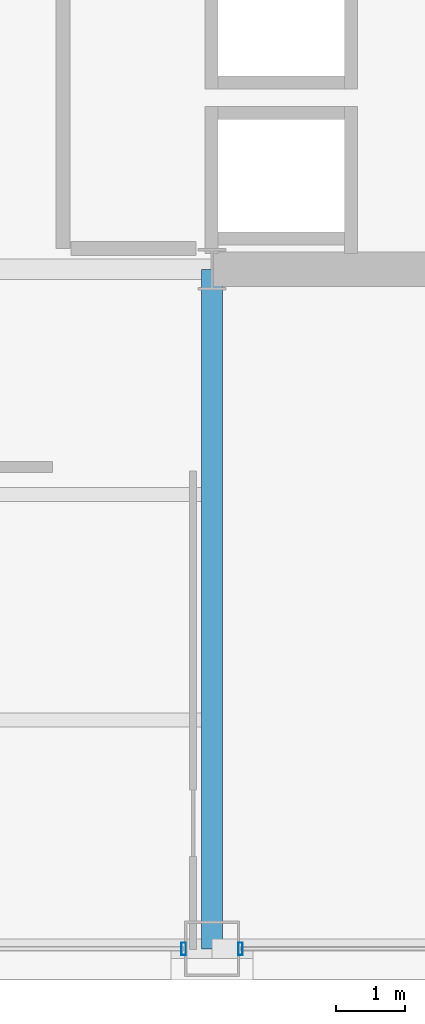
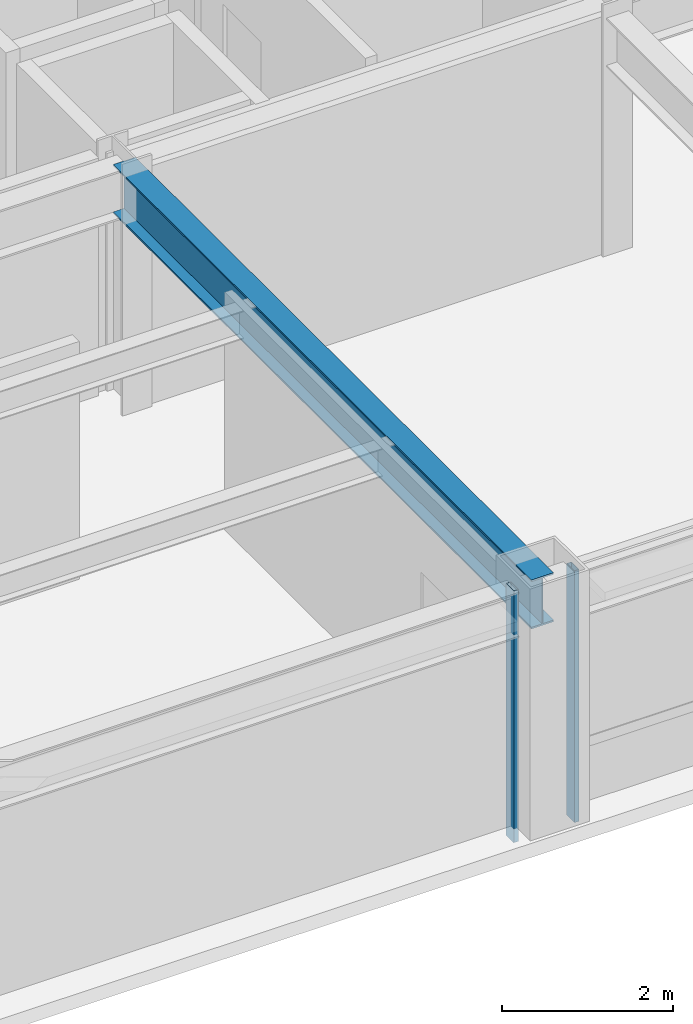
# One storey, part 6 of 29: 2 members, 1 beam, 2 elements without a shape of their own.
"""IFC4 building model written with IfcOpenShell, lengths in metres."""

import ifcopenshell
import ifcopenshell.guid

model = None  # the IFC model being written
_history = None  # IfcOwnerHistory: only IFC2X3 demands one
_inside = {}  # id of a spatial element -> (the spatial element, [elements in it])
_under = {}  # id of a project, library or spatial element -> (it, [spatial elements below it])
_declared = {}  # id of a project -> (the project, [libraries it declares])
_typed = {}  # id of a type object -> (the type object, [elements of that type])
_made_of = {}  # id of a material, layer set ... -> (it, [elements and type objects made of it])


def new_model(schema):
    """Start an empty IFC model of exactly this schema.

    Asked for "IFC4X3", IfcOpenShell would pick the latest addendum, in which some entities
    have other attributes; the version numbers below select the first issue.
    IFC2X3 requires an IfcOwnerHistory on every rooted entity: one is made here for all.
    """
    global model, _history
    if schema == "IFC4X3":
        model = ifcopenshell.file(schema_version=(4, 3, 0, 0))
    else:
        model = ifcopenshell.file(schema=schema)
    _inside.clear()
    _under.clear()
    _declared.clear()
    _typed.clear()
    _made_of.clear()
    _history = None
    if model.schema == "IFC2X3":
        org = make("IfcOrganization", Name="unknown")
        user = make(
            "IfcPersonAndOrganization",
            ThePerson=make("IfcPerson", FamilyName="unknown"),
            TheOrganization=org,
        )
        app = make(
            "IfcApplication",
            ApplicationDeveloper=org,
            Version="unknown",
            ApplicationFullName="unknown",
            ApplicationIdentifier="unknown",
        )
        _history = make(
            "IfcOwnerHistory",
            OwningUser=user,
            OwningApplication=app,
            ChangeAction="ADDED",
            CreationDate=0,
        )
    return model


def make(cls, **values):
    """One entity of the class cls with the attributes given. An attribute that is None is left unset."""
    return model.create_entity(
        cls, **{name: value for name, value in values.items() if value is not None}
    )


def rooted(cls, **values):
    """An entity with a GlobalId (a new one), such as an element, a storey or a relation."""
    return make(cls, GlobalId=ifcopenshell.guid.new(), OwnerHistory=_history, **values)


def si_unit(unit_type, name, prefix=None):
    """IfcSIUnit, for example si_unit("LENGTHUNIT", "METRE", prefix="MILLI")."""
    return make("IfcSIUnit", UnitType=unit_type, Prefix=prefix, Name=name)


def assignment(units):
    """IfcUnitAssignment: the units of a project."""
    return None if units is None else make("IfcUnitAssignment", Units=units)


def point(xyz):
    """IfcCartesianPoint."""
    return None if xyz is None else make("IfcCartesianPoint", Coordinates=xyz)


def direction(xyz):
    """IfcDirection."""
    return None if xyz is None else make("IfcDirection", DirectionRatios=xyz)


def frame(location, z_axis=None, x_axis=None):
    """IfcAxis2Placement3D, a coordinate frame: its origin and axes. An axis left out is left unset."""
    return make(
        "IfcAxis2Placement3D",
        Location=point(location),
        Axis=direction(z_axis),
        RefDirection=direction(x_axis),
    )


def frame_2d(location, x_axis=None):
    """IfcAxis2Placement2D, a coordinate frame in the plane: its origin and x axis."""
    return make(
        "IfcAxis2Placement2D", Location=point(location), RefDirection=direction(x_axis)
    )


def origin():
    """The frame at (0, 0, 0) with its axes left unset."""
    return frame((0.0, 0.0, 0.0))


def origin_2d():
    """The frame at (0, 0) in the plane with its x axis left unset."""
    return frame_2d((0.0, 0.0))


def place(relative_to, where):
    """IfcLocalPlacement: puts the frame where relative to a parent placement (None: the world)."""
    return make(
        "IfcLocalPlacement", PlacementRelTo=relative_to, RelativePlacement=where
    )


def context(
    kind, dimensions, precision=None, world=None, true_north=None, identifier=None
):
    """IfcGeometricRepresentationContext, for example the 3D "Model" context."""
    return make(
        "IfcGeometricRepresentationContext",
        ContextIdentifier=identifier,
        ContextType=kind,
        CoordinateSpaceDimension=dimensions,
        Precision=precision,
        WorldCoordinateSystem=world,
        TrueNorth=true_north,
    )


def subcontext(parent, identifier, kind, view, scale=None):
    """IfcGeometricRepresentationSubContext, for example "Body" below "Model"."""
    return make(
        "IfcGeometricRepresentationSubContext",
        ContextIdentifier=identifier,
        ContextType=kind,
        ParentContext=parent,
        TargetScale=scale,
        TargetView=view,
    )


def project(units=None, contexts=None):
    """IfcProject with its units and contexts."""
    return rooted(
        "IfcProject",
        Name="project",
        RepresentationContexts=contexts,
        UnitsInContext=assignment(units),
    )


def spatial(cls, under=None, at=None, **own):
    """A site, building, storey or space (cls), placed at a placement, below another one or the project."""
    s = rooted(cls, ObjectPlacement=at, **own)
    if under is not None:
        _under.setdefault(under.id(), (under, []))[1].append(s)
    return s


def profile(cls, at=None, kind="AREA", **sizes):
    """A parametric profile (cls). Its sizes go by their IFC names, for example OverallWidth=200.0."""
    return make(cls, ProfileType=kind, Position=at, **sizes)


def hollow_rectangle(**sizes):
    """IfcRectangleHollowProfileDef."""
    return profile("IfcRectangleHollowProfileDef", **sizes)


def i_section(**sizes):
    """IfcIShapeProfileDef."""
    return profile("IfcIShapeProfileDef", **sizes)


def extrude(swept, where, along, depth):
    """IfcExtrudedAreaSolid: the profile swept, set in the frame where, extruded along a direction by depth."""
    return make(
        "IfcExtrudedAreaSolid",
        SweptArea=swept,
        Position=where,
        ExtrudedDirection=direction(along),
        Depth=depth,
    )


def shape(context_of_items, identifier, shape_type, items):
    """IfcShapeRepresentation: the items that make up one representation, for example the "Body"."""
    return make(
        "IfcShapeRepresentation",
        ContextOfItems=context_of_items,
        RepresentationIdentifier=identifier,
        RepresentationType=shape_type,
        Items=items,
    )


def material(Name=None, Category=None):
    """IfcMaterial."""
    return make("IfcMaterial", Name=Name, Category=Category)


def layer(
    of_material, thickness, ventilated=None, Name=None, Category=None, Priority=None
):
    """IfcMaterialLayer: one layer of a wall or slab, of a material (None: an air gap)."""
    return make(
        "IfcMaterialLayer",
        Material=of_material,
        LayerThickness=thickness,
        IsVentilated=ventilated,
        Name=Name,
        Category=Category,
        Priority=Priority,
    )


def layer_set(layers, Name=None):
    """IfcMaterialLayerSet."""
    return make("IfcMaterialLayerSet", MaterialLayers=layers, LayerSetName=Name)


def material_profile(
    of_material, cross_section, Name=None, Category=None, Priority=None
):
    """IfcMaterialProfile: a cross section and its material."""
    return make(
        "IfcMaterialProfile",
        Name=Name,
        Material=of_material,
        Profile=cross_section,
        Priority=Priority,
        Category=Category,
    )


def profile_set(profiles, Name=None, composite=None):
    """IfcMaterialProfileSet."""
    return make(
        "IfcMaterialProfileSet",
        Name=Name,
        MaterialProfiles=profiles,
        CompositeProfile=composite,
    )


def made_of(thing, what):
    """Note that an element or type object is made of a material, layer set ...; save() writes the relation."""
    if what is not None:
        _made_of.setdefault(what.id(), (what, []))[1].append(thing)
    return thing


def type_object(cls, material=None, **own):
    """A type object (cls), such as IfcWallType, which elements share."""
    return made_of(rooted(cls, **own), material)


def element(
    cls,
    number,
    at=None,
    inside=None,
    cuts=None,
    type_object=None,
    material=None,
    context=None,
    identifier="Body",
    shape_type=None,
    held_by="IfcProductDefinitionShape",
    body=None,
    shapes=None,
    **own,
):
    """One element of the class cls, such as IfcWall. Its Tag is "e" and its number.

    at: its placement. inside: the storey or other place that contains it. cuts: it is an
    opening in that element (IfcRelVoidsElement). A single representation is given by context,
    identifier, shape_type and body (its items); several are given by shapes. held_by: the class
    of the entity that holds the representations. save() writes the other relations.
    """
    e = rooted(cls, Tag="e%d" % number, ObjectPlacement=at, **own)
    if body is not None:
        shapes = [shape(context, identifier, shape_type, body)]
    if shapes is not None:
        e.Representation = make(held_by, Representations=shapes)
    if inside is not None:
        _inside.setdefault(inside.id(), (inside, []))[1].append(e)
    if cuts is not None:
        rooted(
            "IfcRelVoidsElement", RelatingBuildingElement=cuts, RelatedOpeningElement=e
        )
    if type_object is not None:
        _typed.setdefault(type_object.id(), (type_object, []))[1].append(e)
    return made_of(e, material)


def aggregate(whole, parts):
    """IfcRelAggregates: a whole, such as a stair, and the parts it consists of."""
    return rooted("IfcRelAggregates", RelatingObject=whole, RelatedObjects=parts)


def save(model, path):
    """Write the relations noted so far, then the file.

    IfcRelAggregates (storeys below a building ...), IfcRelContainedInSpatialStructure (elements
    in a storey), IfcRelDefinesByType, IfcRelAssociatesMaterial and IfcRelDeclares: one each for
    every whole, place, type object, material and project.
    """
    for whole, parts in _under.values():
        aggregate(whole, parts)
    for where, things in _inside.values():
        rooted(
            "IfcRelContainedInSpatialStructure",
            RelatedElements=things,
            RelatingStructure=where,
        )
    for kind, things in _typed.values():
        rooted("IfcRelDefinesByType", RelatedObjects=things, RelatingType=kind)
    for what, things in _made_of.values():
        rooted("IfcRelAssociatesMaterial", RelatedObjects=things, RelatingMaterial=what)
    for by, libraries in _declared.values():
        rooted("IfcRelDeclares", RelatingContext=by, RelatedDefinitions=libraries)
    model.write(path)


model = new_model("IFC4")

# Units and contexts
model_context = context("Model", 3, precision=1e-05, world=origin(), true_north=direction((0.0, 1.0)))
body_context = subcontext(model_context, "Body", "Model", "MODEL_VIEW")
ifc_project = project(units=[si_unit("LENGTHUNIT", "METRE"), si_unit("AREAUNIT", "SQUARE_METRE"), si_unit("VOLUMEUNIT", "CUBIC_METRE"), si_unit("PLANEANGLEUNIT", "RADIAN"), si_unit("MASSUNIT", "GRAM", prefix="KILO")], contexts=[model_context])

# Site, building, storey
site_placement = place(None, origin())
site = spatial("IfcSite", under=ifc_project, at=site_placement, CompositionType="ELEMENT")
building_placement = place(site_placement, origin())
building = spatial("IfcBuilding", under=site, at=building_placement, Name="Brelmoor Portico Tower", CompositionType="ELEMENT")
storey_placement = place(building_placement, frame((0.0, 0.0, 127.800048828125)))
storey = spatial("IfcBuildingStorey", under=building, at=storey_placement, Name="L33", CompositionType="ELEMENT", Elevation=127.800048828125)

# Beam
ifc_material_1 = material(Name="Steel Q355B", Category="steel")
ifc_material_profile_1 = material_profile(ifc_material_1, i_section(OverallWidth=0.300048828125, OverallDepth=0.699951171875, WebThickness=0.012939453125, FlangeThickness=0.02392578125, at=origin_2d()), Name="HN 700x300x13x24")
ifc_profile_set_1 = profile_set([ifc_material_profile_1], Name="Steel Q355B")
beam_type = type_object("IfcBeamType", Name="BM-PG-700", PredefinedType="BEAM", material=ifc_profile_set_1)
beam_placement = place(storey_placement, frame((8.050048828125, -19.550048828125, 3.050048828125), z_axis=(0.0, 1.0, 0.0), x_axis=(-1.0, 0.0, 0.0)))
element("IfcBeam", 1, at=beam_placement, inside=storey, type_object=beam_type, Name="L33 Primary Floor Girder PG-08", PredefinedType="BEAM", context=body_context, shape_type="SweptSolid", body=[
    extrude(i_section(OverallWidth=0.300048828125, OverallDepth=0.699951171875, WebThickness=0.012939453125, FlangeThickness=0.02392578125, at=origin_2d()), origin(), (0.0, 0.0, 1.0), 9.800048828125),
])

# Curtain wall, member
ifc_material_2 = material(Name="Anodised Aluminium Alloy 6063-T6", Category="aluminium")
ifc_layer_1 = layer(ifc_material_2, 0.179931640625)
ifc_layer_set_1 = layer_set([ifc_layer_1], Name="Anodised Aluminium Alloy 6063-T6")
curtain_wall_type_1 = type_object("IfcCurtainWallType", Name="CW-TOWER-Z2-XB", PredefinedType="NOTDEFINED", material=ifc_layer_set_1)
curtain_wall_1_placement = place(storey_placement, origin())
curtain_wall_1 = element("IfcCurtainWall", 2, at=curtain_wall_1_placement, inside=storey, type_object=curtain_wall_type_1, Name="L33 Curtain Wall CW-L33-01-3", PredefinedType="NOTDEFINED")
ifc_material_profile_2 = material_profile(ifc_material_2, hollow_rectangle(XDim=0.06494140625, YDim=0.179931640625, WallThickness=0.00390625, at=origin_2d()), Name="ALU MULLION 65x180")
ifc_profile_set_2 = profile_set([ifc_material_profile_2], Name="Anodised Aluminium Alloy 6063-T6")
member_type = type_object("IfcMemberType", Name="MB-CW-MULL-180", PredefinedType="MULLION", material=ifc_profile_set_2)
member_1_placement = place(storey_placement, frame((7.639892578125, -19.550048828125, -0.199951171875), z_axis=(0.0, 0.0, 1.0), x_axis=(1.0, 0.0, 0.0)))
member_1 = element("IfcMember", 3, at=member_1_placement, type_object=member_type, Name="CW-L33-01-3 Mullion 01", PredefinedType="MULLION", context=body_context, shape_type="SweptSolid", body=[
    extrude(hollow_rectangle(XDim=0.06494140625, YDim=0.179931640625, WallThickness=0.00390625, at=origin_2d()), origin(), (0.0, 0.0, 1.0), 3.599853515625),
])
aggregate(curtain_wall_1, [member_1])

ifc_layer_2 = layer(ifc_material_2, 0.179931640625)
ifc_layer_set_2 = layer_set([ifc_layer_2], Name="Anodised Aluminium Alloy 6063-T6")
curtain_wall_type_2 = type_object("IfcCurtainWallType", Name="CW-TOWER-Z2", PredefinedType="NOTDEFINED", material=ifc_layer_set_2)
curtain_wall_2_placement = place(storey_placement, origin())
curtain_wall_2 = element("IfcCurtainWall", 4, at=curtain_wall_2_placement, inside=storey, type_object=curtain_wall_type_2, Name="L33 Curtain Wall CW-L33-01-4", PredefinedType="NOTDEFINED")
member_2_placement = place(storey_placement, frame((8.4599609375, -19.550048828125, -0.199951171875), z_axis=(0.0, 0.0, 1.0), x_axis=(1.0, 0.0, 0.0)))
member_2 = element("IfcMember", 5, at=member_2_placement, type_object=member_type, Name="CW-L33-01-4 Mullion 00", PredefinedType="MULLION", context=body_context, shape_type="SweptSolid", body=[
    extrude(hollow_rectangle(XDim=0.06494140625, YDim=0.179931640625, WallThickness=0.00390625, at=origin_2d()), origin(), (0.0, 0.0, 1.0), 3.599853515625),
])
aggregate(curtain_wall_2, [member_2])

save(model, "model.ifc")
